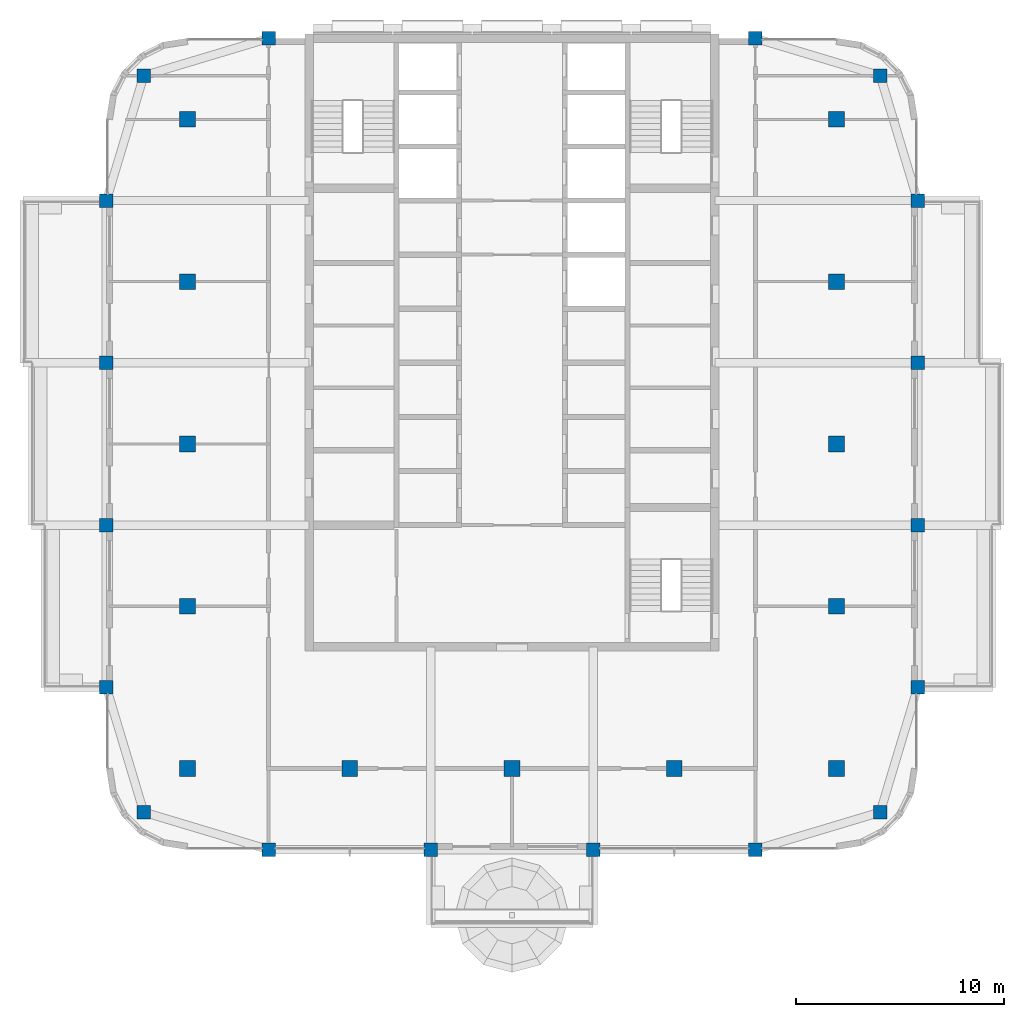
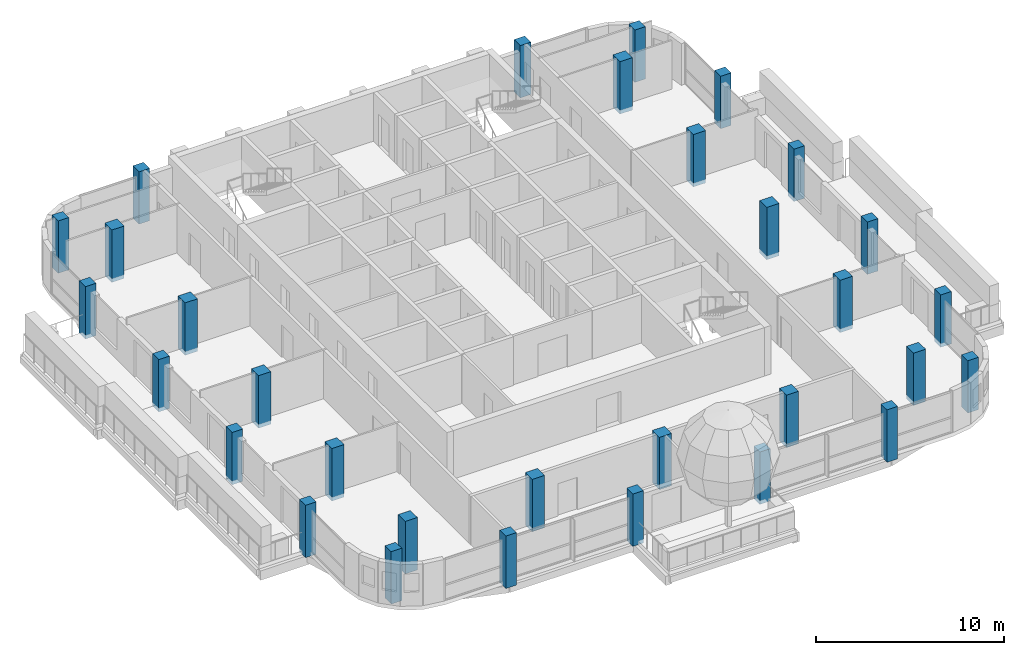
# One storey, part 1 of 19: 31 columns.
"""IFC4 building model written with IfcOpenShell, lengths in metres."""

import ifcopenshell
import ifcopenshell.guid

model = None  # the IFC model being written
_history = None  # IfcOwnerHistory: only IFC2X3 demands one
_inside = {}  # id of a spatial element -> (the spatial element, [elements in it])
_under = {}  # id of a project, library or spatial element -> (it, [spatial elements below it])
_declared = {}  # id of a project -> (the project, [libraries it declares])
_typed = {}  # id of a type object -> (the type object, [elements of that type])
_made_of = {}  # id of a material, layer set ... -> (it, [elements and type objects made of it])


def new_model(schema):
    """Start an empty IFC model of exactly this schema.

    Asked for "IFC4X3", IfcOpenShell would pick the latest addendum, in which some entities
    have other attributes; the version numbers below select the first issue.
    IFC2X3 requires an IfcOwnerHistory on every rooted entity: one is made here for all.
    """
    global model, _history
    if schema == "IFC4X3":
        model = ifcopenshell.file(schema_version=(4, 3, 0, 0))
    else:
        model = ifcopenshell.file(schema=schema)
    _inside.clear()
    _under.clear()
    _declared.clear()
    _typed.clear()
    _made_of.clear()
    _history = None
    if model.schema == "IFC2X3":
        org = make("IfcOrganization", Name="unknown")
        user = make(
            "IfcPersonAndOrganization",
            ThePerson=make("IfcPerson", FamilyName="unknown"),
            TheOrganization=org,
        )
        app = make(
            "IfcApplication",
            ApplicationDeveloper=org,
            Version="unknown",
            ApplicationFullName="unknown",
            ApplicationIdentifier="unknown",
        )
        _history = make(
            "IfcOwnerHistory",
            OwningUser=user,
            OwningApplication=app,
            ChangeAction="ADDED",
            CreationDate=0,
        )
    return model


def make(cls, **values):
    """One entity of the class cls with the attributes given. An attribute that is None is left unset."""
    return model.create_entity(
        cls, **{name: value for name, value in values.items() if value is not None}
    )


def rooted(cls, **values):
    """An entity with a GlobalId (a new one), such as an element, a storey or a relation."""
    return make(cls, GlobalId=ifcopenshell.guid.new(), OwnerHistory=_history, **values)


def si_unit(unit_type, name, prefix=None):
    """IfcSIUnit, for example si_unit("LENGTHUNIT", "METRE", prefix="MILLI")."""
    return make("IfcSIUnit", UnitType=unit_type, Prefix=prefix, Name=name)


def assignment(units):
    """IfcUnitAssignment: the units of a project."""
    return None if units is None else make("IfcUnitAssignment", Units=units)


def point(xyz):
    """IfcCartesianPoint."""
    return None if xyz is None else make("IfcCartesianPoint", Coordinates=xyz)


def direction(xyz):
    """IfcDirection."""
    return None if xyz is None else make("IfcDirection", DirectionRatios=xyz)


def frame(location, z_axis=None, x_axis=None):
    """IfcAxis2Placement3D, a coordinate frame: its origin and axes. An axis left out is left unset."""
    return make(
        "IfcAxis2Placement3D",
        Location=point(location),
        Axis=direction(z_axis),
        RefDirection=direction(x_axis),
    )


def frame_2d(location, x_axis=None):
    """IfcAxis2Placement2D, a coordinate frame in the plane: its origin and x axis."""
    return make(
        "IfcAxis2Placement2D", Location=point(location), RefDirection=direction(x_axis)
    )


def origin():
    """The frame at (0, 0, 0) with its axes left unset."""
    return frame((0.0, 0.0, 0.0))


def origin_2d():
    """The frame at (0, 0) in the plane with its x axis left unset."""
    return frame_2d((0.0, 0.0))


def place(relative_to, where):
    """IfcLocalPlacement: puts the frame where relative to a parent placement (None: the world)."""
    return make(
        "IfcLocalPlacement", PlacementRelTo=relative_to, RelativePlacement=where
    )


def context(
    kind, dimensions, precision=None, world=None, true_north=None, identifier=None
):
    """IfcGeometricRepresentationContext, for example the 3D "Model" context."""
    return make(
        "IfcGeometricRepresentationContext",
        ContextIdentifier=identifier,
        ContextType=kind,
        CoordinateSpaceDimension=dimensions,
        Precision=precision,
        WorldCoordinateSystem=world,
        TrueNorth=true_north,
    )


def subcontext(parent, identifier, kind, view, scale=None):
    """IfcGeometricRepresentationSubContext, for example "Body" below "Model"."""
    return make(
        "IfcGeometricRepresentationSubContext",
        ContextIdentifier=identifier,
        ContextType=kind,
        ParentContext=parent,
        TargetScale=scale,
        TargetView=view,
    )


def project(units=None, contexts=None):
    """IfcProject with its units and contexts."""
    return rooted(
        "IfcProject",
        Name="project",
        RepresentationContexts=contexts,
        UnitsInContext=assignment(units),
    )


def spatial(cls, under=None, at=None, **own):
    """A site, building, storey or space (cls), placed at a placement, below another one or the project."""
    s = rooted(cls, ObjectPlacement=at, **own)
    if under is not None:
        _under.setdefault(under.id(), (under, []))[1].append(s)
    return s


def profile(cls, at=None, kind="AREA", **sizes):
    """A parametric profile (cls). Its sizes go by their IFC names, for example OverallWidth=200.0."""
    return make(cls, ProfileType=kind, Position=at, **sizes)


def rectangle(**sizes):
    """IfcRectangleProfileDef."""
    return profile("IfcRectangleProfileDef", **sizes)


def extrude(swept, where, along, depth):
    """IfcExtrudedAreaSolid: the profile swept, set in the frame where, extruded along a direction by depth."""
    return make(
        "IfcExtrudedAreaSolid",
        SweptArea=swept,
        Position=where,
        ExtrudedDirection=direction(along),
        Depth=depth,
    )


def shape(context_of_items, identifier, shape_type, items):
    """IfcShapeRepresentation: the items that make up one representation, for example the "Body"."""
    return make(
        "IfcShapeRepresentation",
        ContextOfItems=context_of_items,
        RepresentationIdentifier=identifier,
        RepresentationType=shape_type,
        Items=items,
    )


def material(Name=None, Category=None):
    """IfcMaterial."""
    return make("IfcMaterial", Name=Name, Category=Category)


def material_profile(
    of_material, cross_section, Name=None, Category=None, Priority=None
):
    """IfcMaterialProfile: a cross section and its material."""
    return make(
        "IfcMaterialProfile",
        Name=Name,
        Material=of_material,
        Profile=cross_section,
        Priority=Priority,
        Category=Category,
    )


def profile_set(profiles, Name=None, composite=None):
    """IfcMaterialProfileSet."""
    return make(
        "IfcMaterialProfileSet",
        Name=Name,
        MaterialProfiles=profiles,
        CompositeProfile=composite,
    )


def made_of(thing, what):
    """Note that an element or type object is made of a material, layer set ...; save() writes the relation."""
    if what is not None:
        _made_of.setdefault(what.id(), (what, []))[1].append(thing)
    return thing


def type_object(cls, material=None, **own):
    """A type object (cls), such as IfcWallType, which elements share."""
    return made_of(rooted(cls, **own), material)


def element(
    cls,
    number,
    at=None,
    inside=None,
    cuts=None,
    type_object=None,
    material=None,
    context=None,
    identifier="Body",
    shape_type=None,
    held_by="IfcProductDefinitionShape",
    body=None,
    shapes=None,
    **own,
):
    """One element of the class cls, such as IfcWall. Its Tag is "e" and its number.

    at: its placement. inside: the storey or other place that contains it. cuts: it is an
    opening in that element (IfcRelVoidsElement). A single representation is given by context,
    identifier, shape_type and body (its items); several are given by shapes. held_by: the class
    of the entity that holds the representations. save() writes the other relations.
    """
    e = rooted(cls, Tag="e%d" % number, ObjectPlacement=at, **own)
    if body is not None:
        shapes = [shape(context, identifier, shape_type, body)]
    if shapes is not None:
        e.Representation = make(held_by, Representations=shapes)
    if inside is not None:
        _inside.setdefault(inside.id(), (inside, []))[1].append(e)
    if cuts is not None:
        rooted(
            "IfcRelVoidsElement", RelatingBuildingElement=cuts, RelatedOpeningElement=e
        )
    if type_object is not None:
        _typed.setdefault(type_object.id(), (type_object, []))[1].append(e)
    return made_of(e, material)


def aggregate(whole, parts):
    """IfcRelAggregates: a whole, such as a stair, and the parts it consists of."""
    return rooted("IfcRelAggregates", RelatingObject=whole, RelatedObjects=parts)


def save(model, path):
    """Write the relations noted so far, then the file.

    IfcRelAggregates (storeys below a building ...), IfcRelContainedInSpatialStructure (elements
    in a storey), IfcRelDefinesByType, IfcRelAssociatesMaterial and IfcRelDeclares: one each for
    every whole, place, type object, material and project.
    """
    for whole, parts in _under.values():
        aggregate(whole, parts)
    for where, things in _inside.values():
        rooted(
            "IfcRelContainedInSpatialStructure",
            RelatedElements=things,
            RelatingStructure=where,
        )
    for kind, things in _typed.values():
        rooted("IfcRelDefinesByType", RelatedObjects=things, RelatingType=kind)
    for what, things in _made_of.values():
        rooted("IfcRelAssociatesMaterial", RelatedObjects=things, RelatingMaterial=what)
    for by, libraries in _declared.values():
        rooted("IfcRelDeclares", RelatingContext=by, RelatedDefinitions=libraries)
    model.write(path)


model = new_model("IFC4")

# Units and contexts
model_context = context("Model", 3, precision=1e-05, world=origin(), true_north=direction((0.0, 1.0)))
body_context = subcontext(model_context, "Body", "Model", "MODEL_VIEW")
ifc_project = project(units=[si_unit("LENGTHUNIT", "METRE"), si_unit("AREAUNIT", "SQUARE_METRE"), si_unit("VOLUMEUNIT", "CUBIC_METRE"), si_unit("PLANEANGLEUNIT", "RADIAN"), si_unit("MASSUNIT", "GRAM", prefix="KILO")], contexts=[model_context])

# Site, building, storey
site_placement = place(None, origin())
site = spatial("IfcSite", under=ifc_project, at=site_placement, CompositionType="ELEMENT")
building_placement = place(site_placement, origin())
building = spatial("IfcBuilding", under=site, at=building_placement, Name="Ludao Terraces", CompositionType="ELEMENT")
storey_placement = place(building_placement, frame((0.0, 0.0, 256.199951171875)))
storey = spatial("IfcBuildingStorey", under=building, at=storey_placement, Name="L70", CompositionType="ELEMENT", Elevation=256.199951171875)

# Columns
ifc_material = material(Name="Concrete C40", Category="concrete")
ifc_material_profile_1 = material_profile(ifc_material, rectangle(XDim=0.64990234375, YDim=0.64990234375, at=origin_2d()), Name="650 X 650")
ifc_profile_set_1 = profile_set([ifc_material_profile_1], Name="Concrete C40")
column_type_1 = type_object("IfcColumnType", Name="RC column 650x650 C40", PredefinedType="COLUMN", material=ifc_profile_set_1)
for number, where, z_axis, x_axis, name in (
    (1, (67.300048828125, 47.300048828125, -0.25), (0.0, 0.0, 1.0), (1.0, 0.0, 0.0), "Column L70 C0057x0057"),
    (2, (102.699951171875, 47.300048828125, -0.25), (0.0, 0.0, 1.0), (1.0, 0.0, 0.0), "Column L70 C0411x0057"),
    (3, (67.300048828125, 82.699951171875, -0.25), (0.0, 0.0, 1.0), (1.0, 0.0, 0.0), "Column L70 C0057x0411"),
    (4, (102.699951171875, 82.699951171875, -0.25), (0.0, 0.0, 1.0), (1.0, 0.0, 0.0), "Column L70 C0411x0411"),
    (5, (65.5, 53.300048828125, -0.25), (0.0, 0.0, 1.0), (1.0, 0.0, 0.0), "Column L70 W0039x0117"),
    (6, (104.5, 53.300048828125, -0.25), (0.0, 0.0, 1.0), (1.0, 0.0, 0.0), "Column L70 W0429x0117"),
    (7, (73.300048828125, 45.5, -0.25), (0.0, 0.0, 1.0), (1.0, 0.0, 0.0), "Column L70 W0117x0039"),
    (8, (73.300048828125, 84.5, -0.25), (0.0, 0.0, 1.0), (1.0, 0.0, 0.0), "Column L70 W0117x0429"),
    (9, (65.5, 61.10009765625, -0.25), (0.0, 0.0, 1.0), (1.0, 0.0, 0.0), "Column L70 W0039x0195"),
    (10, (104.5, 61.10009765625, -0.25), (0.0, 0.0, 1.0), (1.0, 0.0, 0.0), "Column L70 W0429x0195"),
    (11, (81.10009765625, 45.5, -0.25), (0.0, 0.0, 1.0), (1.0, 0.0, 0.0), "Column L70 W0195x0039"),
    (12, (65.5, 68.89990234375, -0.25), (0.0, 0.0, 1.0), (1.0, 0.0, 0.0), "Column L70 W0039x0273"),
    (13, (104.5, 68.89990234375, -0.25), (0.0, 0.0, 1.0), (1.0, 0.0, 0.0), "Column L70 W0429x0273"),
    (14, (88.89990234375, 45.5, -0.25), (0.0, 0.0, 1.0), (1.0, 0.0, 0.0), "Column L70 W0273x0039"),
    (15, (65.5, 76.699951171875, -0.25), (0.0, 0.0, 1.0), (1.0, 0.0, 0.0), "Column L70 W0039x0351"),
    (16, (104.5, 76.699951171875, -0.25), (0.0, 0.0, 1.0), (1.0, 0.0, 0.0), "Column L70 W0429x0351"),
    (17, (96.699951171875, 45.5, -0.25), (0.0, 0.0, 1.0), (1.0, 0.0, 0.0), "Column L70 W0351x0039"),
    (18, (96.699951171875, 84.5, -0.25), (0.0, 0.0, 1.0), (1.0, 0.0, 0.0), "Column L70 W0351x0429"),
):
    element("IfcColumn", number, at=place(storey_placement, frame(where, z_axis=z_axis, x_axis=x_axis)), inside=storey, type_object=column_type_1, Name=name, PredefinedType="COLUMN", context=body_context, shape_type="SweptSolid", body=[
        extrude(rectangle(XDim=0.64990234375, YDim=0.64990234375, at=origin_2d()), origin(), (0.0, 0.0, 1.0), 3.400146484375),
    ])
ifc_material_profile_2 = material_profile(ifc_material, rectangle(XDim=0.75, YDim=0.75, at=origin_2d()), Name="750 X 750")
ifc_profile_set_2 = profile_set([ifc_material_profile_2], Name="Concrete C40")
column_type_2 = type_object("IfcColumnType", Name="RC column 750x750 C40", PredefinedType="COLUMN", material=ifc_profile_set_2)
for number, where, z_axis, x_axis, name in (
    (19, (69.39990234375, 49.39990234375, -0.25), (0.0, 0.0, 1.0), (1.0, 0.0, 0.0), "Column L70 S0078x0078"),
    (20, (69.39990234375, 57.199951171875, -0.25), (0.0, 0.0, 1.0), (1.0, 0.0, 0.0), "Column L70 S0078x0156"),
    (21, (69.39990234375, 65.0, -0.25), (0.0, 0.0, 1.0), (1.0, 0.0, 0.0), "Column L70 S0078x0234"),
    (22, (69.39990234375, 72.800048828125, -0.25), (0.0, 0.0, 1.0), (1.0, 0.0, 0.0), "Column L70 S0078x0312"),
    (23, (69.39990234375, 80.60009765625, -0.25), (0.0, 0.0, 1.0), (1.0, 0.0, 0.0), "Column L70 S0078x0390"),
    (24, (77.199951171875, 49.39990234375, -0.25), (0.0, 0.0, 1.0), (1.0, 0.0, 0.0), "Column L70 S0156x0078"),
    (25, (85.0, 49.39990234375, -0.25), (0.0, 0.0, 1.0), (1.0, 0.0, 0.0), "Column L70 S0234x0078"),
    (26, (92.800048828125, 49.39990234375, -0.25), (0.0, 0.0, 1.0), (1.0, 0.0, 0.0), "Column L70 S0312x0078"),
    (27, (100.60009765625, 49.39990234375, -0.25), (0.0, 0.0, 1.0), (1.0, 0.0, 0.0), "Column L70 S0390x0078"),
    (28, (100.60009765625, 57.199951171875, -0.25), (0.0, 0.0, 1.0), (1.0, 0.0, 0.0), "Column L70 S0390x0156"),
    (29, (100.60009765625, 65.0, -0.25), (0.0, 0.0, 1.0), (1.0, 0.0, 0.0), "Column L70 S0390x0234"),
    (30, (100.60009765625, 72.800048828125, -0.25), (0.0, 0.0, 1.0), (1.0, 0.0, 0.0), "Column L70 S0390x0312"),
    (31, (100.60009765625, 80.60009765625, -0.25), (0.0, 0.0, 1.0), (1.0, 0.0, 0.0), "Column L70 S0390x0390"),
):
    element("IfcColumn", number, at=place(storey_placement, frame(where, z_axis=z_axis, x_axis=x_axis)), inside=storey, type_object=column_type_2, Name=name, PredefinedType="COLUMN", context=body_context, shape_type="SweptSolid", body=[
        extrude(rectangle(XDim=0.75, YDim=0.75, at=origin_2d()), origin(), (0.0, 0.0, 1.0), 3.400146484375),
    ])

save(model, "model.ifc")
